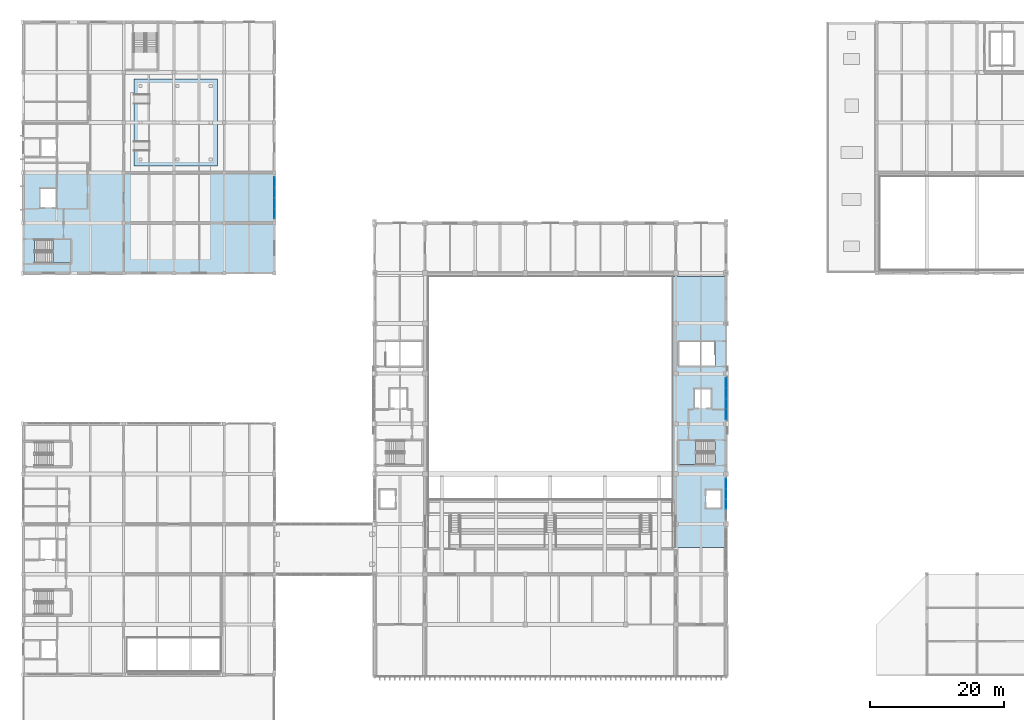
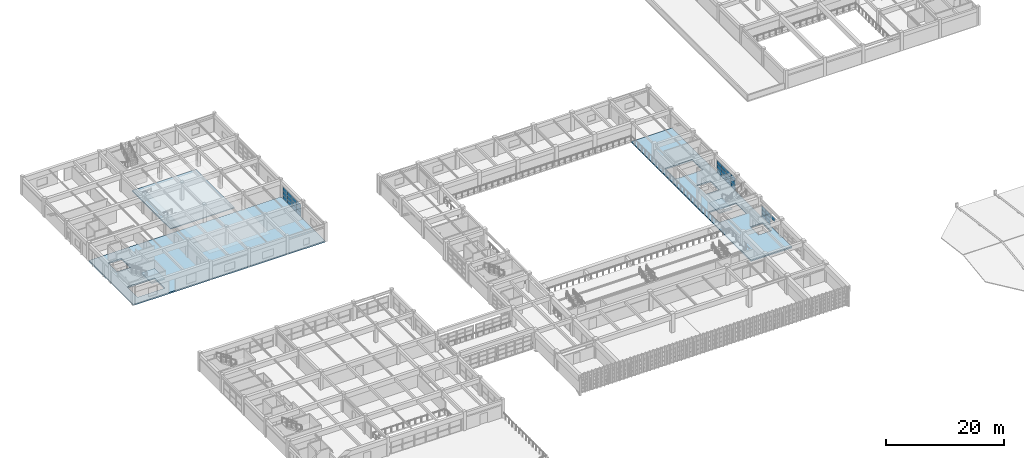
# One storey, part 66 of 101: 31 plates, 5 slabs, 5 elements without a shape of their own.
"""IFC4 building model written with IfcOpenShell, lengths in metres."""

from ifc_helpers import new_model, si_unit, direction, frame, origin, origin_2d, place, context, subcontext, project, spatial, polyline, rectangle, outline, extrude, material, layer, layer_set, type_object, element, aggregate, save


model = new_model("IFC4")

# Units and contexts
model_context = context("Model", 3, precision=1e-05, world=origin(), true_north=direction((0.0, 1.0)))
body_context = subcontext(model_context, "Body", "Model", "MODEL_VIEW")
ifc_project = project(units=[si_unit("LENGTHUNIT", "METRE"), si_unit("AREAUNIT", "SQUARE_METRE"), si_unit("VOLUMEUNIT", "CUBIC_METRE"), si_unit("PLANEANGLEUNIT", "RADIAN"), si_unit("MASSUNIT", "GRAM", prefix="KILO")], contexts=[model_context])

# Site, building, storey
site_placement = place(None, origin())
site = spatial("IfcSite", under=ifc_project, at=site_placement, CompositionType="ELEMENT")
building_placement = place(site_placement, origin())
building = spatial("IfcBuilding", under=site, at=building_placement, Name="Qasida Concert Hall", CompositionType="ELEMENT")
storey_placement = place(building_placement, frame((0.0, 0.0, 13.199951171875)))
storey = spatial("IfcBuildingStorey", under=building, at=storey_placement, Name="L03", CompositionType="ELEMENT", Elevation=13.199951171875)

# Curtain wall, plates
ifc_material_1 = material(Name="Architectural bronze-anodized aluminium and low-E glass", Category="aluminium")
curtain_wall_type_1 = type_object("IfcCurtainWallType", Name="CW-04", PredefinedType="NOTDEFINED", material=ifc_material_1)
curtain_wall_1_placement = place(storey_placement, origin())
curtain_wall_1 = element("IfcCurtainWall", 1, at=curtain_wall_1_placement, inside=storey, type_object=curtain_wall_type_1, Name="L03 curtain wall CW-04 0053", PredefinedType="NOTDEFINED")
ifc_material_2 = material(Name="Solar-control low-E double glazing", Category="glass")
ifc_layer_1 = layer(ifc_material_2, 0.031982421875, Name="Solar-control low-E double glazing")
ifc_layer_set_1 = layer_set([ifc_layer_1], Name="Solar-control low-E double glazing")
plate_type_1 = type_object("IfcPlateType", Name="PLT-CWP-2", PredefinedType="CURTAIN_PANEL", material=ifc_layer_set_1)
plate_1_placement = place(storey_placement, frame((105.0, 40.467529296875, 1.62353515625), z_axis=(0.0, 0.0, 1.0), x_axis=(0.0, 1.0, 0.0)))
plate_1 = element("IfcPlate", 2, at=plate_1_placement, type_object=plate_type_1, Name="CW-04 panel 2.3", PredefinedType="CURTAIN_PANEL", context=body_context, shape_type="SweptSolid", body=[
    extrude(rectangle(XDim=1.5, YDim=0.031982421875, at=origin_2d()), origin(), (0.0, 0.0, 1.0), 0.706787109375),
])
plate_2_placement = place(storey_placement, frame((105.0, 42.032470703125, 0.06005859375), z_axis=(0.0, 0.0, 1.0), x_axis=(0.0, 1.0, 0.0)))
plate_2 = element("IfcPlate", 3, at=plate_2_placement, type_object=plate_type_1, Name="CW-04 panel 3.1", PredefinedType="CURTAIN_PANEL", context=body_context, shape_type="SweptSolid", body=[
    extrude(rectangle(XDim=1.5, YDim=0.031982421875, at=origin_2d()), origin(), (0.0, 0.0, 1.0), 0.706787109375),
])
plate_3_placement = place(storey_placement, frame((105.0, 42.032470703125, 0.82666015625), z_axis=(0.0, 0.0, 1.0), x_axis=(0.0, 1.0, 0.0)))
plate_3 = element("IfcPlate", 4, at=plate_3_placement, type_object=plate_type_1, Name="CW-04 panel 3.2", PredefinedType="CURTAIN_PANEL", context=body_context, shape_type="SweptSolid", body=[
    extrude(rectangle(XDim=1.5, YDim=0.031982421875, at=origin_2d()), origin(), (0.0, 0.0, 1.0), 0.736572265625),
])
plate_4_placement = place(storey_placement, frame((105.0, 42.032470703125, 1.62353515625), z_axis=(0.0, 0.0, 1.0), x_axis=(0.0, 1.0, 0.0)))
plate_4 = element("IfcPlate", 5, at=plate_4_placement, type_object=plate_type_1, Name="CW-04 panel 3.3", PredefinedType="CURTAIN_PANEL", context=body_context, shape_type="SweptSolid", body=[
    extrude(rectangle(XDim=1.5, YDim=0.031982421875, at=origin_2d()), origin(), (0.0, 0.0, 1.0), 0.706787109375),
])
plate_5_placement = place(storey_placement, frame((105.0, 43.581298828125, 0.06005859375), z_axis=(0.0, 0.0, 1.0), x_axis=(0.0, 1.0, 0.0)))
plate_5 = element("IfcPlate", 6, at=plate_5_placement, type_object=plate_type_1, Name="CW-04 panel 4.1", PredefinedType="CURTAIN_PANEL", context=body_context, shape_type="SweptSolid", body=[
    extrude(rectangle(XDim=1.467529296875, YDim=0.031982421875, at=origin_2d()), origin(), (0.0, 0.0, 1.0), 0.706787109375),
])
plate_6_placement = place(storey_placement, frame((105.0, 43.581298828125, 0.82666015625), z_axis=(0.0, 0.0, 1.0), x_axis=(0.0, 1.0, 0.0)))
plate_6 = element("IfcPlate", 7, at=plate_6_placement, type_object=plate_type_1, Name="CW-04 panel 4.2", PredefinedType="CURTAIN_PANEL", context=body_context, shape_type="SweptSolid", body=[
    extrude(rectangle(XDim=1.467529296875, YDim=0.031982421875, at=origin_2d()), origin(), (0.0, 0.0, 1.0), 0.736572265625),
])
plate_7_placement = place(storey_placement, frame((105.0, 43.581298828125, 1.62353515625), z_axis=(0.0, 0.0, 1.0), x_axis=(0.0, 1.0, 0.0)))
plate_7 = element("IfcPlate", 8, at=plate_7_placement, type_object=plate_type_1, Name="CW-04 panel 4.3", PredefinedType="CURTAIN_PANEL", context=body_context, shape_type="SweptSolid", body=[
    extrude(rectangle(XDim=1.467529296875, YDim=0.031982421875, at=origin_2d()), origin(), (0.0, 0.0, 1.0), 0.706787109375),
])
aggregate(curtain_wall_1, [plate_1, plate_2, plate_3, plate_4, plate_5, plate_6, plate_7])

curtain_wall_2_placement = place(storey_placement, origin())
curtain_wall_2 = element("IfcCurtainWall", 9, at=curtain_wall_2_placement, inside=storey, type_object=curtain_wall_type_1, Name="L03 curtain wall CW-04 0055", PredefinedType="NOTDEFINED")
plate_8_placement = place(storey_placement, frame((105.0, 53.918701171875, 0.06005859375), z_axis=(0.0, 0.0, 1.0), x_axis=(0.0, 1.0, 0.0)))
plate_8 = element("IfcPlate", 10, at=plate_8_placement, type_object=plate_type_1, Name="CW-04 panel 1.1", PredefinedType="CURTAIN_PANEL", context=body_context, shape_type="SweptSolid", body=[
    extrude(rectangle(XDim=1.467529296875, YDim=0.031982421875, at=origin_2d()), origin(), (0.0, 0.0, 1.0), 0.7900390625),
])
plate_9_placement = place(storey_placement, frame((105.0, 53.918701171875, 0.91015625), z_axis=(0.0, 0.0, 1.0), x_axis=(0.0, 1.0, 0.0)))
plate_9 = element("IfcPlate", 11, at=plate_9_placement, type_object=plate_type_1, Name="CW-04 panel 1.2", PredefinedType="CURTAIN_PANEL", context=body_context, shape_type="SweptSolid", body=[
    extrude(rectangle(XDim=1.467529296875, YDim=0.031982421875, at=origin_2d()), origin(), (0.0, 0.0, 1.0), 0.820068359375),
])
plate_10_placement = place(storey_placement, frame((105.0, 53.918701171875, 1.7900390625), z_axis=(0.0, 0.0, 1.0), x_axis=(0.0, 1.0, 0.0)))
plate_10 = element("IfcPlate", 12, at=plate_10_placement, type_object=plate_type_1, Name="CW-04 panel 1.3", PredefinedType="CURTAIN_PANEL", context=body_context, shape_type="SweptSolid", body=[
    extrude(rectangle(XDim=1.467529296875, YDim=0.031982421875, at=origin_2d()), origin(), (0.0, 0.0, 1.0), 0.7900390625),
])
plate_11_placement = place(storey_placement, frame((105.0, 55.467529296875, 0.06005859375), z_axis=(0.0, 0.0, 1.0), x_axis=(0.0, 1.0, 0.0)))
plate_11 = element("IfcPlate", 13, at=plate_11_placement, type_object=plate_type_1, Name="CW-04 panel 2.1", PredefinedType="CURTAIN_PANEL", context=body_context, shape_type="SweptSolid", body=[
    extrude(rectangle(XDim=1.5, YDim=0.031982421875, at=origin_2d()), origin(), (0.0, 0.0, 1.0), 0.7900390625),
])
plate_12_placement = place(storey_placement, frame((105.0, 55.467529296875, 0.91015625), z_axis=(0.0, 0.0, 1.0), x_axis=(0.0, 1.0, 0.0)))
plate_12 = element("IfcPlate", 14, at=plate_12_placement, type_object=plate_type_1, Name="CW-04 panel 2.2", PredefinedType="CURTAIN_PANEL", context=body_context, shape_type="SweptSolid", body=[
    extrude(rectangle(XDim=1.5, YDim=0.031982421875, at=origin_2d()), origin(), (0.0, 0.0, 1.0), 0.820068359375),
])
plate_13_placement = place(storey_placement, frame((105.0, 55.467529296875, 1.7900390625), z_axis=(0.0, 0.0, 1.0), x_axis=(0.0, 1.0, 0.0)))
plate_13 = element("IfcPlate", 15, at=plate_13_placement, type_object=plate_type_1, Name="CW-04 panel 2.3", PredefinedType="CURTAIN_PANEL", context=body_context, shape_type="SweptSolid", body=[
    extrude(rectangle(XDim=1.5, YDim=0.031982421875, at=origin_2d()), origin(), (0.0, 0.0, 1.0), 0.7900390625),
])
plate_14_placement = place(storey_placement, frame((105.0, 57.032470703125, 0.06005859375), z_axis=(0.0, 0.0, 1.0), x_axis=(0.0, 1.0, 0.0)))
plate_14 = element("IfcPlate", 16, at=plate_14_placement, type_object=plate_type_1, Name="CW-04 panel 3.1", PredefinedType="CURTAIN_PANEL", context=body_context, shape_type="SweptSolid", body=[
    extrude(rectangle(XDim=1.5, YDim=0.031982421875, at=origin_2d()), origin(), (0.0, 0.0, 1.0), 0.7900390625),
])
plate_15_placement = place(storey_placement, frame((105.0, 57.032470703125, 0.91015625), z_axis=(0.0, 0.0, 1.0), x_axis=(0.0, 1.0, 0.0)))
plate_15 = element("IfcPlate", 17, at=plate_15_placement, type_object=plate_type_1, Name="CW-04 panel 3.2", PredefinedType="CURTAIN_PANEL", context=body_context, shape_type="SweptSolid", body=[
    extrude(rectangle(XDim=1.5, YDim=0.031982421875, at=origin_2d()), origin(), (0.0, 0.0, 1.0), 0.820068359375),
])
plate_16_placement = place(storey_placement, frame((105.0, 57.032470703125, 1.7900390625), z_axis=(0.0, 0.0, 1.0), x_axis=(0.0, 1.0, 0.0)))
plate_16 = element("IfcPlate", 18, at=plate_16_placement, type_object=plate_type_1, Name="CW-04 panel 3.3", PredefinedType="CURTAIN_PANEL", context=body_context, shape_type="SweptSolid", body=[
    extrude(rectangle(XDim=1.5, YDim=0.031982421875, at=origin_2d()), origin(), (0.0, 0.0, 1.0), 0.7900390625),
])
plate_17_placement = place(storey_placement, frame((105.0, 58.581298828125, 0.06005859375), z_axis=(0.0, 0.0, 1.0), x_axis=(0.0, 1.0, 0.0)))
plate_17 = element("IfcPlate", 19, at=plate_17_placement, type_object=plate_type_1, Name="CW-04 panel 4.1", PredefinedType="CURTAIN_PANEL", context=body_context, shape_type="SweptSolid", body=[
    extrude(rectangle(XDim=1.467529296875, YDim=0.031982421875, at=origin_2d()), origin(), (0.0, 0.0, 1.0), 0.7900390625),
])
plate_18_placement = place(storey_placement, frame((105.0, 58.581298828125, 0.91015625), z_axis=(0.0, 0.0, 1.0), x_axis=(0.0, 1.0, 0.0)))
plate_18 = element("IfcPlate", 20, at=plate_18_placement, type_object=plate_type_1, Name="CW-04 panel 4.2", PredefinedType="CURTAIN_PANEL", context=body_context, shape_type="SweptSolid", body=[
    extrude(rectangle(XDim=1.467529296875, YDim=0.031982421875, at=origin_2d()), origin(), (0.0, 0.0, 1.0), 0.820068359375),
])
plate_19_placement = place(storey_placement, frame((105.0, 58.581298828125, 1.7900390625), z_axis=(0.0, 0.0, 1.0), x_axis=(0.0, 1.0, 0.0)))
plate_19 = element("IfcPlate", 21, at=plate_19_placement, type_object=plate_type_1, Name="CW-04 panel 4.3", PredefinedType="CURTAIN_PANEL", context=body_context, shape_type="SweptSolid", body=[
    extrude(rectangle(XDim=1.467529296875, YDim=0.031982421875, at=origin_2d()), origin(), (0.0, 0.0, 1.0), 0.7900390625),
])
aggregate(curtain_wall_2, [plate_8, plate_9, plate_10, plate_11, plate_12, plate_13, plate_14, plate_15, plate_16, plate_17, plate_18, plate_19])

curtain_wall_type_2 = type_object("IfcCurtainWallType", Name="CW-08", PredefinedType="NOTDEFINED", material=ifc_material_1)
curtain_wall_3_placement = place(storey_placement, origin())
curtain_wall_3 = element("IfcCurtainWall", 22, at=curtain_wall_3_placement, inside=storey, type_object=curtain_wall_type_2, Name="L03 curtain wall CW-08 0192", PredefinedType="NOTDEFINED")
ifc_layer_2 = layer(ifc_material_2, 0.02392578125, Name="Solar-control low-E double glazing")
ifc_layer_set_2 = layer_set([ifc_layer_2], Name="Solar-control low-E double glazing")
plate_type_2 = type_object("IfcPlateType", Name="PLT-CWP-5", PredefinedType="CURTAIN_PANEL", material=ifc_layer_set_2)
plate_20_placement = place(storey_placement, frame((37.5, 83.918701171875, 0.06005859375), z_axis=(0.0, 0.0, 1.0), x_axis=(0.0, 1.0, 0.0)))
plate_20 = element("IfcPlate", 23, at=plate_20_placement, type_object=plate_type_2, Name="CW-08 panel 1.1", PredefinedType="CURTAIN_PANEL", context=body_context, shape_type="SweptSolid", body=[
    extrude(rectangle(XDim=1.467529296875, YDim=0.02392578125, at=origin_2d()), origin(), (0.0, 0.0, 1.0), 0.756591796875),
])
plate_21_placement = place(storey_placement, frame((37.5, 83.918701171875, 0.876708984375), z_axis=(0.0, 0.0, 1.0), x_axis=(0.0, 1.0, 0.0)))
plate_21 = element("IfcPlate", 24, at=plate_21_placement, type_object=plate_type_2, Name="CW-08 panel 1.2", PredefinedType="CURTAIN_PANEL", context=body_context, shape_type="SweptSolid", body=[
    extrude(rectangle(XDim=1.467529296875, YDim=0.02392578125, at=origin_2d()), origin(), (0.0, 0.0, 1.0), 0.78662109375),
])
plate_22_placement = place(storey_placement, frame((37.5, 83.918701171875, 1.7236328125), z_axis=(0.0, 0.0, 1.0), x_axis=(0.0, 1.0, 0.0)))
plate_22 = element("IfcPlate", 25, at=plate_22_placement, type_object=plate_type_2, Name="CW-08 panel 1.3", PredefinedType="CURTAIN_PANEL", context=body_context, shape_type="SweptSolid", body=[
    extrude(rectangle(XDim=1.467529296875, YDim=0.02392578125, at=origin_2d()), origin(), (0.0, 0.0, 1.0), 0.756591796875),
])
plate_23_placement = place(storey_placement, frame((37.5, 85.467529296875, 0.06005859375), z_axis=(0.0, 0.0, 1.0), x_axis=(0.0, 1.0, 0.0)))
plate_23 = element("IfcPlate", 26, at=plate_23_placement, type_object=plate_type_2, Name="CW-08 panel 2.1", PredefinedType="CURTAIN_PANEL", context=body_context, shape_type="SweptSolid", body=[
    extrude(rectangle(XDim=1.5, YDim=0.02392578125, at=origin_2d()), origin(), (0.0, 0.0, 1.0), 0.756591796875),
])
plate_24_placement = place(storey_placement, frame((37.5, 85.467529296875, 0.876708984375), z_axis=(0.0, 0.0, 1.0), x_axis=(0.0, 1.0, 0.0)))
plate_24 = element("IfcPlate", 27, at=plate_24_placement, type_object=plate_type_2, Name="CW-08 panel 2.2", PredefinedType="CURTAIN_PANEL", context=body_context, shape_type="SweptSolid", body=[
    extrude(rectangle(XDim=1.5, YDim=0.02392578125, at=origin_2d()), origin(), (0.0, 0.0, 1.0), 0.78662109375),
])
plate_25_placement = place(storey_placement, frame((37.5, 85.467529296875, 1.7236328125), z_axis=(0.0, 0.0, 1.0), x_axis=(0.0, 1.0, 0.0)))
plate_25 = element("IfcPlate", 28, at=plate_25_placement, type_object=plate_type_2, Name="CW-08 panel 2.3", PredefinedType="CURTAIN_PANEL", context=body_context, shape_type="SweptSolid", body=[
    extrude(rectangle(XDim=1.5, YDim=0.02392578125, at=origin_2d()), origin(), (0.0, 0.0, 1.0), 0.756591796875),
])
plate_26_placement = place(storey_placement, frame((37.5, 87.032470703125, 0.06005859375), z_axis=(0.0, 0.0, 1.0), x_axis=(0.0, 1.0, 0.0)))
plate_26 = element("IfcPlate", 29, at=plate_26_placement, type_object=plate_type_2, Name="CW-08 panel 3.1", PredefinedType="CURTAIN_PANEL", context=body_context, shape_type="SweptSolid", body=[
    extrude(rectangle(XDim=1.5, YDim=0.02392578125, at=origin_2d()), origin(), (0.0, 0.0, 1.0), 0.756591796875),
])
plate_27_placement = place(storey_placement, frame((37.5, 87.032470703125, 0.876708984375), z_axis=(0.0, 0.0, 1.0), x_axis=(0.0, 1.0, 0.0)))
plate_27 = element("IfcPlate", 30, at=plate_27_placement, type_object=plate_type_2, Name="CW-08 panel 3.2", PredefinedType="CURTAIN_PANEL", context=body_context, shape_type="SweptSolid", body=[
    extrude(rectangle(XDim=1.5, YDim=0.02392578125, at=origin_2d()), origin(), (0.0, 0.0, 1.0), 0.78662109375),
])
plate_28_placement = place(storey_placement, frame((37.5, 87.032470703125, 1.7236328125), z_axis=(0.0, 0.0, 1.0), x_axis=(0.0, 1.0, 0.0)))
plate_28 = element("IfcPlate", 31, at=plate_28_placement, type_object=plate_type_2, Name="CW-08 panel 3.3", PredefinedType="CURTAIN_PANEL", context=body_context, shape_type="SweptSolid", body=[
    extrude(rectangle(XDim=1.5, YDim=0.02392578125, at=origin_2d()), origin(), (0.0, 0.0, 1.0), 0.756591796875),
])
plate_29_placement = place(storey_placement, frame((37.5, 88.581298828125, 0.06005859375), z_axis=(0.0, 0.0, 1.0), x_axis=(0.0, 1.0, 0.0)))
plate_29 = element("IfcPlate", 32, at=plate_29_placement, type_object=plate_type_2, Name="CW-08 panel 4.1", PredefinedType="CURTAIN_PANEL", context=body_context, shape_type="SweptSolid", body=[
    extrude(rectangle(XDim=1.467529296875, YDim=0.02392578125, at=origin_2d()), origin(), (0.0, 0.0, 1.0), 0.756591796875),
])
plate_30_placement = place(storey_placement, frame((37.5, 88.581298828125, 0.876708984375), z_axis=(0.0, 0.0, 1.0), x_axis=(0.0, 1.0, 0.0)))
plate_30 = element("IfcPlate", 33, at=plate_30_placement, type_object=plate_type_2, Name="CW-08 panel 4.2", PredefinedType="CURTAIN_PANEL", context=body_context, shape_type="SweptSolid", body=[
    extrude(rectangle(XDim=1.467529296875, YDim=0.02392578125, at=origin_2d()), origin(), (0.0, 0.0, 1.0), 0.78662109375),
])
plate_31_placement = place(storey_placement, frame((37.5, 88.581298828125, 1.7236328125), z_axis=(0.0, 0.0, 1.0), x_axis=(0.0, 1.0, 0.0)))
plate_31 = element("IfcPlate", 34, at=plate_31_placement, type_object=plate_type_2, Name="CW-08 panel 4.3", PredefinedType="CURTAIN_PANEL", context=body_context, shape_type="SweptSolid", body=[
    extrude(rectangle(XDim=1.467529296875, YDim=0.02392578125, at=origin_2d()), origin(), (0.0, 0.0, 1.0), 0.756591796875),
])
aggregate(curtain_wall_3, [plate_20, plate_21, plate_22, plate_23, plate_24, plate_25, plate_26, plate_27, plate_28, plate_29, plate_30, plate_31])

# Slabs
ifc_material_3 = material(Name="Concrete C40/50", Category="concrete")
ifc_layer_3 = layer(ifc_material_3, 0.179931640625, Name="Concrete C40/50")
ifc_layer_set_3 = layer_set([ifc_layer_3], Name="Concrete C40/50")
slab_type_1 = type_object("IfcSlabType", Name="SL-FS-180", PredefinedType="FLOOR", material=ifc_layer_set_3)
slab_1_placement = place(storey_placement, origin())
element("IfcSlab", 35, at=slab_1_placement, inside=storey, type_object=slab_type_1, Name="L03 Recording studio floating box-in-box slab", PredefinedType="FLOOR", context=body_context, shape_type="SweptSolid", body=[
    extrude(outline(polyline([(16.5, 91.0), (29.0, 91.0), (29.0, 104.0), (16.5, 104.0), (16.5, 91.0)])), origin(), (0.0, 0.0, 1.0), 0.179931640625),
])
ifc_layer_4 = layer(ifc_material_3, 0.260009765625, Name="Concrete C40/50")
ifc_layer_set_4 = layer_set([ifc_layer_4], Name="Concrete C40/50")
slab_type_2 = type_object("IfcSlabType", Name="SL-FS-260", PredefinedType="FLOOR", material=ifc_layer_set_4)
slab_2_placement = place(storey_placement, frame((0.0, 0.0, -0.260009765625)))
element("IfcSlab", 36, at=slab_2_placement, inside=storey, type_object=slab_type_2, Name="V1 second balcony east gallery (FS-260)", PredefinedType="FLOOR", context=body_context, shape_type="SweptSolid", body=[
    extrude(outline(polyline([(97.0, 34.0), (105.0, 34.0), (105.0, 74.5), (97.0, 74.5), (97.0, 34.0)]), holes=[polyline([(101.89990234375, 39.85009765625), (104.300048828125, 39.85009765625), (104.300048828125, 42.64990234375), (101.89990234375, 42.64990234375), (101.89990234375, 39.85009765625)]), polyline([(97.97998046875, 46.39990234375), (103.31005859375, 46.39990234375), (103.31005859375, 49.9599609375), (97.97998046875, 49.9599609375), (97.97998046875, 46.39990234375)]), polyline([(100.199951171875, 54.75), (102.800048828125, 54.75), (102.800048828125, 57.75), (100.199951171875, 57.75), (100.199951171875, 54.75)]), polyline([(97.97998046875, 61.199951171875), (103.31005859375, 61.199951171875), (103.31005859375, 64.760009765625), (97.97998046875, 64.760009765625), (97.97998046875, 61.199951171875)])]), origin(), (0.0, 0.0, 1.0), 0.260009765625),
])
slab_3_placement = place(storey_placement, frame((0.0, 0.0, -0.260009765625)))
element("IfcSlab", 37, at=slab_3_placement, inside=storey, type_object=slab_type_2, Name="V5 recording studio south (FS-260)", PredefinedType="FLOOR", context=body_context, shape_type="SweptSolid", body=[
    extrude(outline(polyline([(0.0, 75.0), (37.5, 75.0), (37.5, 90.0), (0.0, 90.0), (0.0, 75.0)]), holes=[polyline([(1.659912109375, 76.5), (7.02001953125, 76.5), (7.02001953125, 80.0), (1.659912109375, 80.0), (1.659912109375, 76.5)]), polyline([(2.449951171875, 84.75), (5.050048828125, 84.75), (5.050048828125, 87.75), (2.449951171875, 87.75), (2.449951171875, 84.75)])]), origin(), (0.0, 0.0, 1.0), 0.260009765625),
])

# Stair, slab
stair_type_1 = type_object("IfcStairType", Name="ST-DL-168", PredefinedType="HALF_TURN_STAIR", material=ifc_material_3)
stair_1_placement = place(storey_placement, origin())
stair_1 = element("IfcStair", 38, at=stair_1_placement, inside=storey, type_object=stair_type_1, Name="L03 Exit stair ST-02", PredefinedType="HALF_TURN_STAIR")
ifc_layer_5 = layer(ifc_material_3, 0.199951171875, Name="Concrete C40/50")
ifc_layer_set_5 = layer_set([ifc_layer_5], Name="Concrete C40/50")
slab_type_3 = type_object("IfcSlabType", Name="SL-LND-200", PredefinedType="LANDING", material=ifc_layer_set_5)
slab_4_placement = place(storey_placement, frame((0.0, 0.0, 1.75)))
slab_4 = element("IfcSlab", 39, at=slab_4_placement, type_object=slab_type_3, Name="ST-02 landing 1", PredefinedType="LANDING", context=body_context, shape_type="SweptSolid", body=[
    extrude(outline(polyline([(100.52001953125, 49.9599609375), (97.97998046875, 49.9599609375), (97.97998046875, 46.39990234375), (100.52001953125, 46.39990234375), (100.52001953125, 49.9599609375)])), origin(), (0.0, 0.0, 1.0), 0.199951171875),
])
aggregate(stair_1, [slab_4])

stair_type_2 = type_object("IfcStairType", Name="ST-DL-165", PredefinedType="HALF_TURN_STAIR", material=ifc_material_3)
stair_2_placement = place(storey_placement, origin())
stair_2 = element("IfcStair", 40, at=stair_2_placement, inside=storey, type_object=stair_type_2, Name="L03 Exit stair ST-05", PredefinedType="HALF_TURN_STAIR")
slab_5_placement = place(storey_placement, frame((0.0, 0.0, 1.75)))
slab_5 = element("IfcSlab", 41, at=slab_5_placement, type_object=slab_type_3, Name="ST-05 landing 1", PredefinedType="LANDING", context=body_context, shape_type="SweptSolid", body=[
    extrude(outline(polyline([(4.449951171875, 76.5), (7.02001953125, 76.5), (7.02001953125, 80.0), (4.449951171875, 80.0), (4.449951171875, 76.5)])), origin(), (0.0, 0.0, 1.0), 0.199951171875),
])
aggregate(stair_2, [slab_5])

save(model, "model.ifc")
